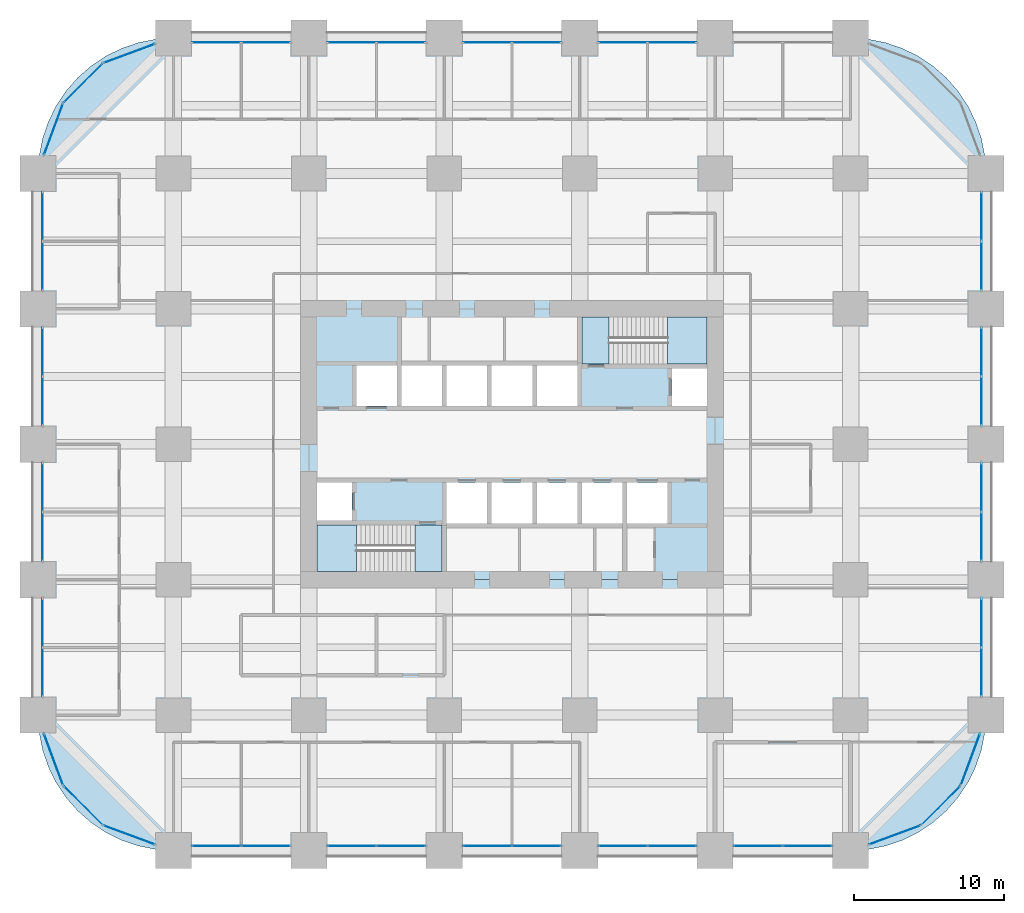
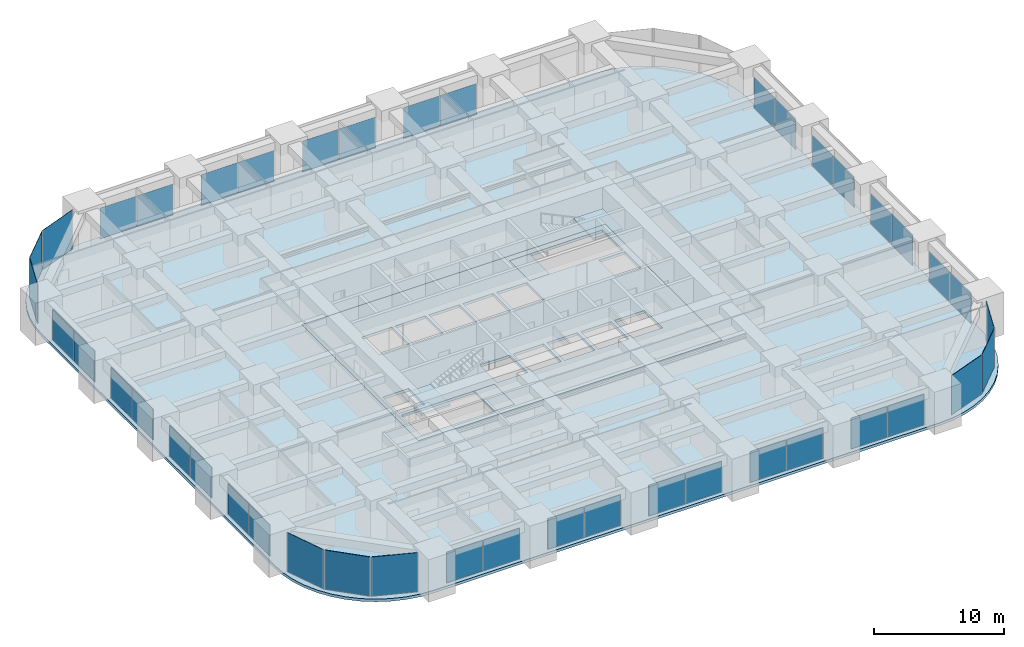
# One storey, part 38 of 44: 43 plates, 6 slabs, 28 elements without a shape of their own.
"""IFC4 building model written with IfcOpenShell, lengths in metres."""

from ifc_helpers import new_model, si_unit, direction, frame, origin, origin_2d, place, context, subcontext, project, spatial, polyline, rectangle, outline, extrude, material, layer, layer_set, type_object, element, aggregate, save


model = new_model("IFC4")

# Units and contexts
model_context = context("Model", 3, precision=1e-05, world=origin(), true_north=direction((0.0, 1.0)))
body_context = subcontext(model_context, "Body", "Model", "MODEL_VIEW")
ifc_project = project(units=[si_unit("LENGTHUNIT", "METRE"), si_unit("AREAUNIT", "SQUARE_METRE"), si_unit("VOLUMEUNIT", "CUBIC_METRE"), si_unit("PLANEANGLEUNIT", "RADIAN"), si_unit("MASSUNIT", "GRAM", prefix="KILO")], contexts=[model_context])

# Site, building, storey
site_placement = place(None, origin())
site = spatial("IfcSite", under=ifc_project, at=site_placement, CompositionType="ELEMENT")
building_placement = place(site_placement, origin())
building = spatial("IfcBuilding", under=site, at=building_placement, Name="Zorevar Civic Tower", CompositionType="ELEMENT")
storey_placement = place(building_placement, frame((0.0, 0.0, 31.800048828125)))
storey = spatial("IfcBuildingStorey", under=building, at=storey_placement, Name="L07", CompositionType="ELEMENT", Elevation=31.800048828125)

# Curtain wall, plates
ifc_material_1 = material(Name="Dark grey solar-control glass in black aluminium frame", Category="aluminium")
curtain_wall_type = type_object("IfcCurtainWallType", Name="Curtain wall CW2 low zone", PredefinedType="NOTDEFINED", material=ifc_material_1)
curtain_wall_1_placement = place(storey_placement, origin())
curtain_wall_1 = element("IfcCurtainWall", 1, at=curtain_wall_1_placement, inside=storey, type_object=curtain_wall_type, Name="CW2 L07", PredefinedType="NOTDEFINED")
ifc_material_2 = material(Name="Dark grey solar-control glass", Category="glass")
ifc_layer_1 = layer(ifc_material_2, 0.031982421875)
ifc_layer_set_1 = layer_set([ifc_layer_1], Name="CW2 panel 32")
plate_type = type_object("IfcPlateType", Name="CW2 panel 32", PredefinedType="CURTAIN_PANEL", material=ifc_layer_set_1)
plate_1_placement = place(storey_placement, frame((11.864990234375, 0.300048828125, 0.06005859375), z_axis=(0.0, 0.0, 1.0), x_axis=(1.0, 0.0, 0.0)))
plate_1 = element("IfcPlate", 2, at=plate_1_placement, type_object=plate_type, Name="CW2 panel 1.1", PredefinedType="CURTAIN_PANEL", context=body_context, shape_type="SweptSolid", body=[
    extrude(rectangle(XDim=3.2099609375, YDim=0.031982421875, at=origin_2d()), origin(), (0.0, 0.0, 1.0), 2.889892578125),
])
plate_2_placement = place(storey_placement, frame((15.135009765625, 0.300048828125, 0.06005859375), z_axis=(0.0, 0.0, 1.0), x_axis=(1.0, 0.0, 0.0)))
plate_2 = element("IfcPlate", 3, at=plate_2_placement, type_object=plate_type, Name="CW2 panel 2.1", PredefinedType="CURTAIN_PANEL", context=body_context, shape_type="SweptSolid", body=[
    extrude(rectangle(XDim=3.2099609375, YDim=0.031982421875, at=origin_2d()), origin(), (0.0, 0.0, 1.0), 2.889892578125),
])
aggregate(curtain_wall_1, [plate_1, plate_2])

curtain_wall_2_placement = place(storey_placement, origin())
curtain_wall_2 = element("IfcCurtainWall", 4, at=curtain_wall_2_placement, inside=storey, type_object=curtain_wall_type, Name="CW2 L07", PredefinedType="NOTDEFINED")
plate_3_placement = place(storey_placement, frame((11.864990234375, 53.699951171875, 0.06005859375), z_axis=(0.0, 0.0, 1.0), x_axis=(1.0, 0.0, 0.0)))
plate_3 = element("IfcPlate", 5, at=plate_3_placement, type_object=plate_type, Name="CW2 panel 1.1", PredefinedType="CURTAIN_PANEL", context=body_context, shape_type="SweptSolid", body=[
    extrude(rectangle(XDim=3.2099609375, YDim=0.031982421875, at=origin_2d()), origin(), (0.0, 0.0, 1.0), 2.889892578125),
])
plate_4_placement = place(storey_placement, frame((15.135009765625, 53.699951171875, 0.06005859375), z_axis=(0.0, 0.0, 1.0), x_axis=(1.0, 0.0, 0.0)))
plate_4 = element("IfcPlate", 6, at=plate_4_placement, type_object=plate_type, Name="CW2 panel 2.1", PredefinedType="CURTAIN_PANEL", context=body_context, shape_type="SweptSolid", body=[
    extrude(rectangle(XDim=3.2099609375, YDim=0.031982421875, at=origin_2d()), origin(), (0.0, 0.0, 1.0), 2.889892578125),
])
aggregate(curtain_wall_2, [plate_3, plate_4])

curtain_wall_3_placement = place(storey_placement, origin())
curtain_wall_3 = element("IfcCurtainWall", 7, at=curtain_wall_3_placement, inside=storey, type_object=curtain_wall_type, Name="CW2 L07", PredefinedType="NOTDEFINED")
plate_5_placement = place(storey_placement, frame((20.864990234375, 0.300048828125, 0.06005859375), z_axis=(0.0, 0.0, 1.0), x_axis=(1.0, 0.0, 0.0)))
plate_5 = element("IfcPlate", 8, at=plate_5_placement, type_object=plate_type, Name="CW2 panel 1.1", PredefinedType="CURTAIN_PANEL", context=body_context, shape_type="SweptSolid", body=[
    extrude(rectangle(XDim=3.2099609375, YDim=0.031982421875, at=origin_2d()), origin(), (0.0, 0.0, 1.0), 2.889892578125),
])
plate_6_placement = place(storey_placement, frame((24.135009765625, 0.300048828125, 0.06005859375), z_axis=(0.0, 0.0, 1.0), x_axis=(1.0, 0.0, 0.0)))
plate_6 = element("IfcPlate", 9, at=plate_6_placement, type_object=plate_type, Name="CW2 panel 2.1", PredefinedType="CURTAIN_PANEL", context=body_context, shape_type="SweptSolid", body=[
    extrude(rectangle(XDim=3.2099609375, YDim=0.031982421875, at=origin_2d()), origin(), (0.0, 0.0, 1.0), 2.889892578125),
])
aggregate(curtain_wall_3, [plate_5, plate_6])

curtain_wall_4_placement = place(storey_placement, origin())
curtain_wall_4 = element("IfcCurtainWall", 10, at=curtain_wall_4_placement, inside=storey, type_object=curtain_wall_type, Name="CW2 L07", PredefinedType="NOTDEFINED")
plate_7_placement = place(storey_placement, frame((20.864990234375, 53.699951171875, 0.06005859375), z_axis=(0.0, 0.0, 1.0), x_axis=(1.0, 0.0, 0.0)))
plate_7 = element("IfcPlate", 11, at=plate_7_placement, type_object=plate_type, Name="CW2 panel 1.1", PredefinedType="CURTAIN_PANEL", context=body_context, shape_type="SweptSolid", body=[
    extrude(rectangle(XDim=3.2099609375, YDim=0.031982421875, at=origin_2d()), origin(), (0.0, 0.0, 1.0), 2.889892578125),
])
plate_8_placement = place(storey_placement, frame((24.135009765625, 53.699951171875, 0.06005859375), z_axis=(0.0, 0.0, 1.0), x_axis=(1.0, 0.0, 0.0)))
plate_8 = element("IfcPlate", 12, at=plate_8_placement, type_object=plate_type, Name="CW2 panel 2.1", PredefinedType="CURTAIN_PANEL", context=body_context, shape_type="SweptSolid", body=[
    extrude(rectangle(XDim=3.2099609375, YDim=0.031982421875, at=origin_2d()), origin(), (0.0, 0.0, 1.0), 2.889892578125),
])
aggregate(curtain_wall_4, [plate_7, plate_8])

curtain_wall_5_placement = place(storey_placement, origin())
curtain_wall_5 = element("IfcCurtainWall", 13, at=curtain_wall_5_placement, inside=storey, type_object=curtain_wall_type, Name="CW2 L07", PredefinedType="NOTDEFINED")
plate_9_placement = place(storey_placement, frame((29.864990234375, 0.300048828125, 0.06005859375), z_axis=(0.0, 0.0, 1.0), x_axis=(1.0, 0.0, 0.0)))
plate_9 = element("IfcPlate", 14, at=plate_9_placement, type_object=plate_type, Name="CW2 panel 1.1", PredefinedType="CURTAIN_PANEL", context=body_context, shape_type="SweptSolid", body=[
    extrude(rectangle(XDim=3.2099609375, YDim=0.031982421875, at=origin_2d()), origin(), (0.0, 0.0, 1.0), 2.889892578125),
])
plate_10_placement = place(storey_placement, frame((33.135009765625, 0.300048828125, 0.06005859375), z_axis=(0.0, 0.0, 1.0), x_axis=(1.0, 0.0, 0.0)))
plate_10 = element("IfcPlate", 15, at=plate_10_placement, type_object=plate_type, Name="CW2 panel 2.1", PredefinedType="CURTAIN_PANEL", context=body_context, shape_type="SweptSolid", body=[
    extrude(rectangle(XDim=3.2099609375, YDim=0.031982421875, at=origin_2d()), origin(), (0.0, 0.0, 1.0), 2.889892578125),
])
aggregate(curtain_wall_5, [plate_9, plate_10])

curtain_wall_6_placement = place(storey_placement, origin())
curtain_wall_6 = element("IfcCurtainWall", 16, at=curtain_wall_6_placement, inside=storey, type_object=curtain_wall_type, Name="CW2 L07", PredefinedType="NOTDEFINED")
plate_11_placement = place(storey_placement, frame((29.864990234375, 53.699951171875, 0.06005859375), z_axis=(0.0, 0.0, 1.0), x_axis=(1.0, 0.0, 0.0)))
plate_11 = element("IfcPlate", 17, at=plate_11_placement, type_object=plate_type, Name="CW2 panel 1.1", PredefinedType="CURTAIN_PANEL", context=body_context, shape_type="SweptSolid", body=[
    extrude(rectangle(XDim=3.2099609375, YDim=0.031982421875, at=origin_2d()), origin(), (0.0, 0.0, 1.0), 2.889892578125),
])
plate_12_placement = place(storey_placement, frame((33.135009765625, 53.699951171875, 0.06005859375), z_axis=(0.0, 0.0, 1.0), x_axis=(1.0, 0.0, 0.0)))
plate_12 = element("IfcPlate", 18, at=plate_12_placement, type_object=plate_type, Name="CW2 panel 2.1", PredefinedType="CURTAIN_PANEL", context=body_context, shape_type="SweptSolid", body=[
    extrude(rectangle(XDim=3.2099609375, YDim=0.031982421875, at=origin_2d()), origin(), (0.0, 0.0, 1.0), 2.889892578125),
])
aggregate(curtain_wall_6, [plate_11, plate_12])

curtain_wall_7_placement = place(storey_placement, origin())
curtain_wall_7 = element("IfcCurtainWall", 19, at=curtain_wall_7_placement, inside=storey, type_object=curtain_wall_type, Name="CW2 L07", PredefinedType="NOTDEFINED")
plate_13_placement = place(storey_placement, frame((38.864990234375, 0.300048828125, 0.06005859375), z_axis=(0.0, 0.0, 1.0), x_axis=(1.0, 0.0, 0.0)))
plate_13 = element("IfcPlate", 20, at=plate_13_placement, type_object=plate_type, Name="CW2 panel 1.1", PredefinedType="CURTAIN_PANEL", context=body_context, shape_type="SweptSolid", body=[
    extrude(rectangle(XDim=3.2099609375, YDim=0.031982421875, at=origin_2d()), origin(), (0.0, 0.0, 1.0), 2.889892578125),
])
plate_14_placement = place(storey_placement, frame((42.135009765625, 0.300048828125, 0.06005859375), z_axis=(0.0, 0.0, 1.0), x_axis=(1.0, 0.0, 0.0)))
plate_14 = element("IfcPlate", 21, at=plate_14_placement, type_object=plate_type, Name="CW2 panel 2.1", PredefinedType="CURTAIN_PANEL", context=body_context, shape_type="SweptSolid", body=[
    extrude(rectangle(XDim=3.2099609375, YDim=0.031982421875, at=origin_2d()), origin(), (0.0, 0.0, 1.0), 2.889892578125),
])
aggregate(curtain_wall_7, [plate_13, plate_14])

curtain_wall_8_placement = place(storey_placement, origin())
curtain_wall_8 = element("IfcCurtainWall", 22, at=curtain_wall_8_placement, inside=storey, type_object=curtain_wall_type, Name="CW2 L07", PredefinedType="NOTDEFINED")
plate_15_placement = place(storey_placement, frame((38.864990234375, 53.699951171875, 0.06005859375), z_axis=(0.0, 0.0, 1.0), x_axis=(1.0, 0.0, 0.0)))
plate_15 = element("IfcPlate", 23, at=plate_15_placement, type_object=plate_type, Name="CW2 panel 1.1", PredefinedType="CURTAIN_PANEL", context=body_context, shape_type="SweptSolid", body=[
    extrude(rectangle(XDim=3.2099609375, YDim=0.031982421875, at=origin_2d()), origin(), (0.0, 0.0, 1.0), 2.889892578125),
])
plate_16_placement = place(storey_placement, frame((42.135009765625, 53.699951171875, 0.06005859375), z_axis=(0.0, 0.0, 1.0), x_axis=(1.0, 0.0, 0.0)))
plate_16 = element("IfcPlate", 24, at=plate_16_placement, type_object=plate_type, Name="CW2 panel 2.1", PredefinedType="CURTAIN_PANEL", context=body_context, shape_type="SweptSolid", body=[
    extrude(rectangle(XDim=3.2099609375, YDim=0.031982421875, at=origin_2d()), origin(), (0.0, 0.0, 1.0), 2.889892578125),
])
aggregate(curtain_wall_8, [plate_15, plate_16])

curtain_wall_9_placement = place(storey_placement, origin())
curtain_wall_9 = element("IfcCurtainWall", 25, at=curtain_wall_9_placement, inside=storey, type_object=curtain_wall_type, Name="CW2 L07", PredefinedType="NOTDEFINED")
plate_17_placement = place(storey_placement, frame((47.864990234375, 0.300048828125, 0.06005859375), z_axis=(0.0, 0.0, 1.0), x_axis=(1.0, 0.0, 0.0)))
plate_17 = element("IfcPlate", 26, at=plate_17_placement, type_object=plate_type, Name="CW2 panel 1.1", PredefinedType="CURTAIN_PANEL", context=body_context, shape_type="SweptSolid", body=[
    extrude(rectangle(XDim=3.2099609375, YDim=0.031982421875, at=origin_2d()), origin(), (0.0, 0.0, 1.0), 2.889892578125),
])
plate_18_placement = place(storey_placement, frame((51.135009765625, 0.300048828125, 0.06005859375), z_axis=(0.0, 0.0, 1.0), x_axis=(1.0, 0.0, 0.0)))
plate_18 = element("IfcPlate", 27, at=plate_18_placement, type_object=plate_type, Name="CW2 panel 2.1", PredefinedType="CURTAIN_PANEL", context=body_context, shape_type="SweptSolid", body=[
    extrude(rectangle(XDim=3.2099609375, YDim=0.031982421875, at=origin_2d()), origin(), (0.0, 0.0, 1.0), 2.889892578125),
])
aggregate(curtain_wall_9, [plate_17, plate_18])

curtain_wall_10_placement = place(storey_placement, origin())
curtain_wall_10 = element("IfcCurtainWall", 28, at=curtain_wall_10_placement, inside=storey, type_object=curtain_wall_type, Name="CW2 L07", PredefinedType="NOTDEFINED")
plate_19_placement = place(storey_placement, frame((0.300048828125, 11.864990234375, 0.06005859375), z_axis=(0.0, 0.0, 1.0), x_axis=(0.0, 1.0, 0.0)))
plate_19 = element("IfcPlate", 29, at=plate_19_placement, type_object=plate_type, Name="CW2 panel 1.1", PredefinedType="CURTAIN_PANEL", context=body_context, shape_type="SweptSolid", body=[
    extrude(rectangle(XDim=3.2099609375, YDim=0.031982421875, at=origin_2d()), origin(), (0.0, 0.0, 1.0), 2.889892578125),
])
plate_20_placement = place(storey_placement, frame((0.300048828125, 15.135009765625, 0.06005859375), z_axis=(0.0, 0.0, 1.0), x_axis=(0.0, 1.0, 0.0)))
plate_20 = element("IfcPlate", 30, at=plate_20_placement, type_object=plate_type, Name="CW2 panel 2.1", PredefinedType="CURTAIN_PANEL", context=body_context, shape_type="SweptSolid", body=[
    extrude(rectangle(XDim=3.2099609375, YDim=0.031982421875, at=origin_2d()), origin(), (0.0, 0.0, 1.0), 2.889892578125),
])
aggregate(curtain_wall_10, [plate_19, plate_20])

curtain_wall_11_placement = place(storey_placement, origin())
curtain_wall_11 = element("IfcCurtainWall", 31, at=curtain_wall_11_placement, inside=storey, type_object=curtain_wall_type, Name="CW2 L07", PredefinedType="NOTDEFINED")
plate_21_placement = place(storey_placement, frame((62.699951171875, 11.864990234375, 0.06005859375), z_axis=(0.0, 0.0, 1.0), x_axis=(0.0, 1.0, 0.0)))
plate_21 = element("IfcPlate", 32, at=plate_21_placement, type_object=plate_type, Name="CW2 panel 1.1", PredefinedType="CURTAIN_PANEL", context=body_context, shape_type="SweptSolid", body=[
    extrude(rectangle(XDim=3.2099609375, YDim=0.031982421875, at=origin_2d()), origin(), (0.0, 0.0, 1.0), 2.889892578125),
])
plate_22_placement = place(storey_placement, frame((62.699951171875, 15.135009765625, 0.06005859375), z_axis=(0.0, 0.0, 1.0), x_axis=(0.0, 1.0, 0.0)))
plate_22 = element("IfcPlate", 33, at=plate_22_placement, type_object=plate_type, Name="CW2 panel 2.1", PredefinedType="CURTAIN_PANEL", context=body_context, shape_type="SweptSolid", body=[
    extrude(rectangle(XDim=3.2099609375, YDim=0.031982421875, at=origin_2d()), origin(), (0.0, 0.0, 1.0), 2.889892578125),
])
aggregate(curtain_wall_11, [plate_21, plate_22])

curtain_wall_12_placement = place(storey_placement, origin())
curtain_wall_12 = element("IfcCurtainWall", 34, at=curtain_wall_12_placement, inside=storey, type_object=curtain_wall_type, Name="CW2 L07", PredefinedType="NOTDEFINED")
plate_23_placement = place(storey_placement, frame((0.300048828125, 20.864990234375, 0.06005859375), z_axis=(0.0, 0.0, 1.0), x_axis=(0.0, 1.0, 0.0)))
plate_23 = element("IfcPlate", 35, at=plate_23_placement, type_object=plate_type, Name="CW2 panel 1.1", PredefinedType="CURTAIN_PANEL", context=body_context, shape_type="SweptSolid", body=[
    extrude(rectangle(XDim=3.2099609375, YDim=0.031982421875, at=origin_2d()), origin(), (0.0, 0.0, 1.0), 2.889892578125),
])
plate_24_placement = place(storey_placement, frame((0.300048828125, 24.135009765625, 0.06005859375), z_axis=(0.0, 0.0, 1.0), x_axis=(0.0, 1.0, 0.0)))
plate_24 = element("IfcPlate", 36, at=plate_24_placement, type_object=plate_type, Name="CW2 panel 2.1", PredefinedType="CURTAIN_PANEL", context=body_context, shape_type="SweptSolid", body=[
    extrude(rectangle(XDim=3.2099609375, YDim=0.031982421875, at=origin_2d()), origin(), (0.0, 0.0, 1.0), 2.889892578125),
])
aggregate(curtain_wall_12, [plate_23, plate_24])

curtain_wall_13_placement = place(storey_placement, origin())
curtain_wall_13 = element("IfcCurtainWall", 37, at=curtain_wall_13_placement, inside=storey, type_object=curtain_wall_type, Name="CW2 L07", PredefinedType="NOTDEFINED")
plate_25_placement = place(storey_placement, frame((62.699951171875, 20.864990234375, 0.06005859375), z_axis=(0.0, 0.0, 1.0), x_axis=(0.0, 1.0, 0.0)))
plate_25 = element("IfcPlate", 38, at=plate_25_placement, type_object=plate_type, Name="CW2 panel 1.1", PredefinedType="CURTAIN_PANEL", context=body_context, shape_type="SweptSolid", body=[
    extrude(rectangle(XDim=3.2099609375, YDim=0.031982421875, at=origin_2d()), origin(), (0.0, 0.0, 1.0), 2.889892578125),
])
plate_26_placement = place(storey_placement, frame((62.699951171875, 24.135009765625, 0.06005859375), z_axis=(0.0, 0.0, 1.0), x_axis=(0.0, 1.0, 0.0)))
plate_26 = element("IfcPlate", 39, at=plate_26_placement, type_object=plate_type, Name="CW2 panel 2.1", PredefinedType="CURTAIN_PANEL", context=body_context, shape_type="SweptSolid", body=[
    extrude(rectangle(XDim=3.2099609375, YDim=0.031982421875, at=origin_2d()), origin(), (0.0, 0.0, 1.0), 2.889892578125),
])
aggregate(curtain_wall_13, [plate_25, plate_26])

curtain_wall_14_placement = place(storey_placement, origin())
curtain_wall_14 = element("IfcCurtainWall", 40, at=curtain_wall_14_placement, inside=storey, type_object=curtain_wall_type, Name="CW2 L07", PredefinedType="NOTDEFINED")
plate_27_placement = place(storey_placement, frame((0.300048828125, 29.864990234375, 0.06005859375), z_axis=(0.0, 0.0, 1.0), x_axis=(0.0, 1.0, 0.0)))
plate_27 = element("IfcPlate", 41, at=plate_27_placement, type_object=plate_type, Name="CW2 panel 1.1", PredefinedType="CURTAIN_PANEL", context=body_context, shape_type="SweptSolid", body=[
    extrude(rectangle(XDim=3.2099609375, YDim=0.031982421875, at=origin_2d()), origin(), (0.0, 0.0, 1.0), 2.889892578125),
])
plate_28_placement = place(storey_placement, frame((0.300048828125, 33.135009765625, 0.06005859375), z_axis=(0.0, 0.0, 1.0), x_axis=(0.0, 1.0, 0.0)))
plate_28 = element("IfcPlate", 42, at=plate_28_placement, type_object=plate_type, Name="CW2 panel 2.1", PredefinedType="CURTAIN_PANEL", context=body_context, shape_type="SweptSolid", body=[
    extrude(rectangle(XDim=3.2099609375, YDim=0.031982421875, at=origin_2d()), origin(), (0.0, 0.0, 1.0), 2.889892578125),
])
aggregate(curtain_wall_14, [plate_27, plate_28])

curtain_wall_15_placement = place(storey_placement, origin())
curtain_wall_15 = element("IfcCurtainWall", 43, at=curtain_wall_15_placement, inside=storey, type_object=curtain_wall_type, Name="CW2 L07", PredefinedType="NOTDEFINED")
plate_29_placement = place(storey_placement, frame((62.699951171875, 29.864990234375, 0.06005859375), z_axis=(0.0, 0.0, 1.0), x_axis=(0.0, 1.0, 0.0)))
plate_29 = element("IfcPlate", 44, at=plate_29_placement, type_object=plate_type, Name="CW2 panel 1.1", PredefinedType="CURTAIN_PANEL", context=body_context, shape_type="SweptSolid", body=[
    extrude(rectangle(XDim=3.2099609375, YDim=0.031982421875, at=origin_2d()), origin(), (0.0, 0.0, 1.0), 2.889892578125),
])
plate_30_placement = place(storey_placement, frame((62.699951171875, 33.135009765625, 0.06005859375), z_axis=(0.0, 0.0, 1.0), x_axis=(0.0, 1.0, 0.0)))
plate_30 = element("IfcPlate", 45, at=plate_30_placement, type_object=plate_type, Name="CW2 panel 2.1", PredefinedType="CURTAIN_PANEL", context=body_context, shape_type="SweptSolid", body=[
    extrude(rectangle(XDim=3.2099609375, YDim=0.031982421875, at=origin_2d()), origin(), (0.0, 0.0, 1.0), 2.889892578125),
])
aggregate(curtain_wall_15, [plate_29, plate_30])

curtain_wall_16_placement = place(storey_placement, origin())
curtain_wall_16 = element("IfcCurtainWall", 46, at=curtain_wall_16_placement, inside=storey, type_object=curtain_wall_type, Name="CW2 L07", PredefinedType="NOTDEFINED")
plate_31_placement = place(storey_placement, frame((0.300048828125, 38.864990234375, 0.06005859375), z_axis=(0.0, 0.0, 1.0), x_axis=(0.0, 1.0, 0.0)))
plate_31 = element("IfcPlate", 47, at=plate_31_placement, type_object=plate_type, Name="CW2 panel 1.1", PredefinedType="CURTAIN_PANEL", context=body_context, shape_type="SweptSolid", body=[
    extrude(rectangle(XDim=3.2099609375, YDim=0.031982421875, at=origin_2d()), origin(), (0.0, 0.0, 1.0), 2.889892578125),
])
plate_32_placement = place(storey_placement, frame((0.300048828125, 42.135009765625, 0.06005859375), z_axis=(0.0, 0.0, 1.0), x_axis=(0.0, 1.0, 0.0)))
plate_32 = element("IfcPlate", 48, at=plate_32_placement, type_object=plate_type, Name="CW2 panel 2.1", PredefinedType="CURTAIN_PANEL", context=body_context, shape_type="SweptSolid", body=[
    extrude(rectangle(XDim=3.2099609375, YDim=0.031982421875, at=origin_2d()), origin(), (0.0, 0.0, 1.0), 2.889892578125),
])
aggregate(curtain_wall_16, [plate_31, plate_32])

curtain_wall_17_placement = place(storey_placement, origin())
curtain_wall_17 = element("IfcCurtainWall", 49, at=curtain_wall_17_placement, inside=storey, type_object=curtain_wall_type, Name="CW2 L07", PredefinedType="NOTDEFINED")
plate_33_placement = place(storey_placement, frame((62.699951171875, 38.864990234375, 0.06005859375), z_axis=(0.0, 0.0, 1.0), x_axis=(0.0, 1.0, 0.0)))
plate_33 = element("IfcPlate", 50, at=plate_33_placement, type_object=plate_type, Name="CW2 panel 1.1", PredefinedType="CURTAIN_PANEL", context=body_context, shape_type="SweptSolid", body=[
    extrude(rectangle(XDim=3.2099609375, YDim=0.031982421875, at=origin_2d()), origin(), (0.0, 0.0, 1.0), 2.889892578125),
])
plate_34_placement = place(storey_placement, frame((62.699951171875, 42.135009765625, 0.06005859375), z_axis=(0.0, 0.0, 1.0), x_axis=(0.0, 1.0, 0.0)))
plate_34 = element("IfcPlate", 51, at=plate_34_placement, type_object=plate_type, Name="CW2 panel 2.1", PredefinedType="CURTAIN_PANEL", context=body_context, shape_type="SweptSolid", body=[
    extrude(rectangle(XDim=3.2099609375, YDim=0.031982421875, at=origin_2d()), origin(), (0.0, 0.0, 1.0), 2.889892578125),
])
aggregate(curtain_wall_17, [plate_33, plate_34])

# Curtain wall, plate
curtain_wall_18_placement = place(storey_placement, origin())
curtain_wall_18 = element("IfcCurtainWall", 52, at=curtain_wall_18_placement, inside=storey, type_object=curtain_wall_type, Name="CW2 L07", PredefinedType="NOTDEFINED")
plate_35_placement = place(storey_placement, frame((56.9462890625, 1.02880859375, 0.06005859375), z_axis=(0.0, 0.0, 1.0), x_axis=(0.937974588163, 0.346704012033, 0.0)))
plate_35 = element("IfcPlate", 53, at=plate_35_placement, type_object=plate_type, Name="CW2 panel 1.1", PredefinedType="CURTAIN_PANEL", context=body_context, shape_type="SweptSolid", body=[
    extrude(rectangle(XDim=3.603759765625, YDim=0.031982421875, at=origin_2d()), origin(), (0.0, 0.0, 1.0), 3.68994140625),
])
aggregate(curtain_wall_18, [plate_35])

curtain_wall_19_placement = place(storey_placement, origin())
curtain_wall_19 = element("IfcCurtainWall", 54, at=curtain_wall_19_placement, inside=storey, type_object=curtain_wall_type, Name="CW2 L07", PredefinedType="NOTDEFINED")
plate_36_placement = place(storey_placement, frame((60.00927734375, 2.99072265625, 0.06005859375), z_axis=(0.0, 0.0, 1.0), x_axis=(0.707106781187, 0.707106781187, 0.0)))
plate_36 = element("IfcPlate", 55, at=plate_36_placement, type_object=plate_type, Name="CW2 panel 1.1", PredefinedType="CURTAIN_PANEL", context=body_context, shape_type="SweptSolid", body=[
    extrude(rectangle(XDim=3.603759765625, YDim=0.031982421875, at=origin_2d()), origin(), (0.0, 0.0, 1.0), 3.68994140625),
])
aggregate(curtain_wall_19, [plate_36])

curtain_wall_20_placement = place(storey_placement, origin())
curtain_wall_20 = element("IfcCurtainWall", 56, at=curtain_wall_20_placement, inside=storey, type_object=curtain_wall_type, Name="CW2 L07", PredefinedType="NOTDEFINED")
plate_37_placement = place(storey_placement, frame((61.97119140625, 6.0537109375, 0.06005859375), z_axis=(0.0, 0.0, 1.0), x_axis=(0.346704012033, 0.937974588163, 0.0)))
plate_37 = element("IfcPlate", 57, at=plate_37_placement, type_object=plate_type, Name="CW2 panel 1.1", PredefinedType="CURTAIN_PANEL", context=body_context, shape_type="SweptSolid", body=[
    extrude(rectangle(XDim=3.603759765625, YDim=0.031982421875, at=origin_2d()), origin(), (0.0, 0.0, 1.0), 3.68994140625),
])
aggregate(curtain_wall_20, [plate_37])

curtain_wall_21_placement = place(storey_placement, origin())
curtain_wall_21 = element("IfcCurtainWall", 58, at=curtain_wall_21_placement, inside=storey, type_object=curtain_wall_type, Name="CW2 L07", PredefinedType="NOTDEFINED")
plate_38_placement = place(storey_placement, frame((6.0537109375, 52.97119140625, 0.06005859375), z_axis=(0.0, 0.0, 1.0), x_axis=(-0.937974588163, -0.346704012033, 0.0)))
plate_38 = element("IfcPlate", 59, at=plate_38_placement, type_object=plate_type, Name="CW2 panel 1.1", PredefinedType="CURTAIN_PANEL", context=body_context, shape_type="SweptSolid", body=[
    extrude(rectangle(XDim=3.603759765625, YDim=0.031982421875, at=origin_2d()), origin(), (0.0, 0.0, 1.0), 3.68994140625),
])
aggregate(curtain_wall_21, [plate_38])

curtain_wall_22_placement = place(storey_placement, origin())
curtain_wall_22 = element("IfcCurtainWall", 60, at=curtain_wall_22_placement, inside=storey, type_object=curtain_wall_type, Name="CW2 L07", PredefinedType="NOTDEFINED")
plate_39_placement = place(storey_placement, frame((2.99072265625, 51.00927734375, 0.06005859375), z_axis=(0.0, 0.0, 1.0), x_axis=(-0.707106781187, -0.707106781187, 0.0)))
plate_39 = element("IfcPlate", 61, at=plate_39_placement, type_object=plate_type, Name="CW2 panel 1.1", PredefinedType="CURTAIN_PANEL", context=body_context, shape_type="SweptSolid", body=[
    extrude(rectangle(XDim=3.603759765625, YDim=0.031982421875, at=origin_2d()), origin(), (0.0, 0.0, 1.0), 3.68994140625),
])
aggregate(curtain_wall_22, [plate_39])

curtain_wall_23_placement = place(storey_placement, origin())
curtain_wall_23 = element("IfcCurtainWall", 62, at=curtain_wall_23_placement, inside=storey, type_object=curtain_wall_type, Name="CW2 L07", PredefinedType="NOTDEFINED")
plate_40_placement = place(storey_placement, frame((1.02880859375, 47.9462890625, 0.06005859375), z_axis=(0.0, 0.0, 1.0), x_axis=(-0.346704012033, -0.937974588163, 0.0)))
plate_40 = element("IfcPlate", 63, at=plate_40_placement, type_object=plate_type, Name="CW2 panel 1.1", PredefinedType="CURTAIN_PANEL", context=body_context, shape_type="SweptSolid", body=[
    extrude(rectangle(XDim=3.603759765625, YDim=0.031982421875, at=origin_2d()), origin(), (0.0, 0.0, 1.0), 3.68994140625),
])
aggregate(curtain_wall_23, [plate_40])

curtain_wall_24_placement = place(storey_placement, origin())
curtain_wall_24 = element("IfcCurtainWall", 64, at=curtain_wall_24_placement, inside=storey, type_object=curtain_wall_type, Name="CW2 L07", PredefinedType="NOTDEFINED")
plate_41_placement = place(storey_placement, frame((1.02880859375, 6.0537109375, 0.06005859375), z_axis=(0.0, 0.0, 1.0), x_axis=(0.346704012033, -0.937974588163, 0.0)))
plate_41 = element("IfcPlate", 65, at=plate_41_placement, type_object=plate_type, Name="CW2 panel 1.1", PredefinedType="CURTAIN_PANEL", context=body_context, shape_type="SweptSolid", body=[
    extrude(rectangle(XDim=3.603759765625, YDim=0.031982421875, at=origin_2d()), origin(), (0.0, 0.0, 1.0), 3.68994140625),
])
aggregate(curtain_wall_24, [plate_41])

curtain_wall_25_placement = place(storey_placement, origin())
curtain_wall_25 = element("IfcCurtainWall", 66, at=curtain_wall_25_placement, inside=storey, type_object=curtain_wall_type, Name="CW2 L07", PredefinedType="NOTDEFINED")
plate_42_placement = place(storey_placement, frame((2.99072265625, 2.99072265625, 0.06005859375), z_axis=(0.0, 0.0, 1.0), x_axis=(0.707106781187, -0.707106781187, 0.0)))
plate_42 = element("IfcPlate", 67, at=plate_42_placement, type_object=plate_type, Name="CW2 panel 1.1", PredefinedType="CURTAIN_PANEL", context=body_context, shape_type="SweptSolid", body=[
    extrude(rectangle(XDim=3.603759765625, YDim=0.031982421875, at=origin_2d()), origin(), (0.0, 0.0, 1.0), 3.68994140625),
])
aggregate(curtain_wall_25, [plate_42])

curtain_wall_26_placement = place(storey_placement, origin())
curtain_wall_26 = element("IfcCurtainWall", 68, at=curtain_wall_26_placement, inside=storey, type_object=curtain_wall_type, Name="CW2 L07", PredefinedType="NOTDEFINED")
plate_43_placement = place(storey_placement, frame((6.0537109375, 1.02880859375, 0.06005859375), z_axis=(0.0, 0.0, 1.0), x_axis=(0.937974588163, -0.346704012033, 0.0)))
plate_43 = element("IfcPlate", 69, at=plate_43_placement, type_object=plate_type, Name="CW2 panel 1.1", PredefinedType="CURTAIN_PANEL", context=body_context, shape_type="SweptSolid", body=[
    extrude(rectangle(XDim=3.603759765625, YDim=0.031982421875, at=origin_2d()), origin(), (0.0, 0.0, 1.0), 3.68994140625),
])
aggregate(curtain_wall_26, [plate_43])

# Slabs
ifc_material_3 = material(Name="Concrete C40/50", Category="concrete")
ifc_layer_2 = layer(ifc_material_3, 0.25)
ifc_layer_set_2 = layer_set([ifc_layer_2], Name="Floor slab 250")
slab_type_1 = type_object("IfcSlabType", Name="Floor slab 250", PredefinedType="FLOOR", material=ifc_layer_set_2)
slab_1_placement = place(storey_placement, frame((0.0, 0.0, -0.25)))
element("IfcSlab", 70, at=slab_1_placement, inside=storey, type_object=slab_type_1, Name="Floor slab L07", PredefinedType="FLOOR", context=body_context, shape_type="SweptSolid", body=[
    extrude(outline(polyline([(54.0, 0.0), (55.1748046875, 0.076904296875), (56.329345703125, 0.306640625), (57.444091796875, 0.68505859375), (58.5, 1.205810546875), (59.478759765625, 1.85986328125), (60.364013671875, 2.635986328125), (61.14013671875, 3.521240234375), (61.794189453125, 4.5), (62.31494140625, 5.555908203125), (62.693359375, 6.670654296875), (62.923095703125, 7.8251953125), (63.0, 9.0), (63.0, 45.0), (62.923095703125, 46.1748046875), (62.693359375, 47.329345703125), (62.31494140625, 48.444091796875), (61.794189453125, 49.5), (61.14013671875, 50.478759765625), (60.364013671875, 51.364013671875), (59.478759765625, 52.14013671875), (58.5, 52.794189453125), (57.444091796875, 53.31494140625), (56.329345703125, 53.693359375), (55.1748046875, 53.923095703125), (54.0, 54.0), (9.0, 54.0), (7.8251953125, 53.923095703125), (6.670654296875, 53.693359375), (5.555908203125, 53.31494140625), (4.5, 52.794189453125), (3.521240234375, 52.14013671875), (2.635986328125, 51.364013671875), (1.85986328125, 50.478759765625), (1.205810546875, 49.5), (0.68505859375, 48.444091796875), (0.306640625, 47.329345703125), (0.076904296875, 46.1748046875), (0.0, 45.0), (0.0, 9.0), (0.076904296875, 7.8251953125), (0.306640625, 6.670654296875), (0.68505859375, 5.555908203125), (1.205810546875, 4.5), (1.85986328125, 3.521240234375), (2.635986328125, 2.635986328125), (3.521240234375, 1.85986328125), (4.5, 1.205810546875), (5.555908203125, 0.68505859375), (6.670654296875, 0.306640625), (7.8251953125, 0.076904296875), (9.0, 0.0), (54.0, 0.0)]), holes=[polyline([(18.0, 18.0), (45.0, 18.0), (45.0, 36.0), (18.0, 36.0), (18.0, 18.0)])]), origin(), (0.0, 0.0, 1.0), 0.25),
])
slab_2_placement = place(storey_placement, frame((0.0, 0.0, -0.25)))
element("IfcSlab", 71, at=slab_2_placement, inside=storey, type_object=slab_type_1, Name="Core floor L07", PredefinedType="FLOOR", context=body_context, shape_type="SweptSolid", body=[
    extrude(outline(polyline([(18.0, 18.0), (45.0, 18.0), (45.0, 36.0), (18.0, 36.0), (18.0, 18.0)]), holes=[polyline([(18.550048828125, 18.550048828125), (26.85009765625, 18.550048828125), (26.85009765625, 21.64990234375), (18.550048828125, 21.64990234375), (18.550048828125, 18.550048828125)]), polyline([(36.14990234375, 32.35009765625), (44.449951171875, 32.35009765625), (44.449951171875, 35.449951171875), (36.14990234375, 35.449951171875), (36.14990234375, 32.35009765625)]), polyline([(18.550048828125, 21.949951171875), (20.85009765625, 21.949951171875), (20.85009765625, 24.449951171875), (18.550048828125, 24.449951171875), (18.550048828125, 21.949951171875)]), polyline([(42.14990234375, 29.550048828125), (44.449951171875, 29.550048828125), (44.449951171875, 32.050048828125), (42.14990234375, 32.050048828125), (42.14990234375, 29.550048828125)]), polyline([(27.14990234375, 21.75), (29.85009765625, 21.75), (29.85009765625, 24.449951171875), (27.14990234375, 24.449951171875), (27.14990234375, 21.75)]), polyline([(33.14990234375, 29.550048828125), (35.85009765625, 29.550048828125), (35.85009765625, 32.25), (33.14990234375, 32.25), (33.14990234375, 29.550048828125)]), polyline([(30.14990234375, 21.75), (32.85009765625, 21.75), (32.85009765625, 24.449951171875), (30.14990234375, 24.449951171875), (30.14990234375, 21.75)]), polyline([(30.14990234375, 29.550048828125), (32.85009765625, 29.550048828125), (32.85009765625, 32.25), (30.14990234375, 32.25), (30.14990234375, 29.550048828125)]), polyline([(33.14990234375, 21.75), (35.85009765625, 21.75), (35.85009765625, 24.449951171875), (33.14990234375, 24.449951171875), (33.14990234375, 21.75)]), polyline([(27.14990234375, 29.550048828125), (29.85009765625, 29.550048828125), (29.85009765625, 32.25), (27.14990234375, 32.25), (27.14990234375, 29.550048828125)]), polyline([(36.14990234375, 21.75), (38.85009765625, 21.75), (38.85009765625, 24.449951171875), (36.14990234375, 24.449951171875), (36.14990234375, 21.75)]), polyline([(24.14990234375, 29.550048828125), (26.85009765625, 29.550048828125), (26.85009765625, 32.25), (24.14990234375, 32.25), (24.14990234375, 29.550048828125)]), polyline([(39.14990234375, 21.75), (41.85009765625, 21.75), (41.85009765625, 24.449951171875), (39.14990234375, 24.449951171875), (39.14990234375, 21.75)]), polyline([(21.14990234375, 29.550048828125), (23.85009765625, 29.550048828125), (23.85009765625, 32.25), (21.14990234375, 32.25), (21.14990234375, 29.550048828125)])]), origin(), (0.0, 0.0, 1.0), 0.25),
])

# Stair, slabs
ifc_material_4 = material(Name="Precast concrete C40/50", Category="concrete")
stair_type = type_object("IfcStairType", Name="Stair ST 28R", PredefinedType="HALF_TURN_STAIR", material=ifc_material_4)
stair_1_placement = place(storey_placement, origin())
stair_1 = element("IfcStair", 72, at=stair_1_placement, inside=storey, type_object=stair_type, Name="Stair ST1 L07", PredefinedType="HALF_TURN_STAIR")
ifc_material_5 = material(Name="Concrete C40/50", Category="concrete")
ifc_layer_3 = layer(ifc_material_5, 0.199951171875)
ifc_layer_set_3 = layer_set([ifc_layer_3], Name="Stair landing 200")
slab_type_2 = type_object("IfcSlabType", Name="Stair landing 200", PredefinedType="LANDING", material=ifc_layer_set_3)
slab_3_placement = place(storey_placement, frame((0.0, 0.0, -0.199951171875)))
slab_3 = element("IfcSlab", 73, at=slab_3_placement, type_object=slab_type_2, Name="ST1 landing 1", PredefinedType="LANDING", context=body_context, shape_type="SweptSolid", body=[
    extrude(outline(polyline([(25.050048828125, 18.550048828125), (26.85009765625, 18.550048828125), (26.85009765625, 21.64990234375), (25.050048828125, 21.64990234375), (25.050048828125, 18.550048828125)])), origin(), (0.0, 0.0, 1.0), 0.199951171875),
])
slab_4_placement = place(storey_placement, frame((0.0, 0.0, 1.800048828125)))
slab_4 = element("IfcSlab", 74, at=slab_4_placement, type_object=slab_type_2, Name="ST1 landing 2", PredefinedType="LANDING", context=body_context, shape_type="SweptSolid", body=[
    extrude(outline(polyline([(18.550048828125, 18.550048828125), (21.14990234375, 18.550048828125), (21.14990234375, 21.64990234375), (18.550048828125, 21.64990234375), (18.550048828125, 18.550048828125)])), origin(), (0.0, 0.0, 1.0), 0.199951171875),
])
aggregate(stair_1, [slab_3, slab_4])

stair_2_placement = place(storey_placement, origin())
stair_2 = element("IfcStair", 75, at=stair_2_placement, inside=storey, type_object=stair_type, Name="Stair ST2 L07", PredefinedType="HALF_TURN_STAIR")
slab_5_placement = place(storey_placement, frame((0.0, 0.0, -0.199951171875)))
slab_5 = element("IfcSlab", 76, at=slab_5_placement, type_object=slab_type_2, Name="ST2 landing 1", PredefinedType="LANDING", context=body_context, shape_type="SweptSolid", body=[
    extrude(outline(polyline([(37.949951171875, 32.35009765625), (36.14990234375, 32.35009765625), (36.14990234375, 35.449951171875), (37.949951171875, 35.449951171875), (37.949951171875, 32.35009765625)])), origin(), (0.0, 0.0, 1.0), 0.199951171875),
])
slab_6_placement = place(storey_placement, frame((0.0, 0.0, 1.800048828125)))
slab_6 = element("IfcSlab", 77, at=slab_6_placement, type_object=slab_type_2, Name="ST2 landing 2", PredefinedType="LANDING", context=body_context, shape_type="SweptSolid", body=[
    extrude(outline(polyline([(44.449951171875, 32.35009765625), (41.85009765625, 32.35009765625), (41.85009765625, 35.449951171875), (44.449951171875, 35.449951171875), (44.449951171875, 32.35009765625)])), origin(), (0.0, 0.0, 1.0), 0.199951171875),
])
aggregate(stair_2, [slab_5, slab_6])

save(model, "model.ifc")
